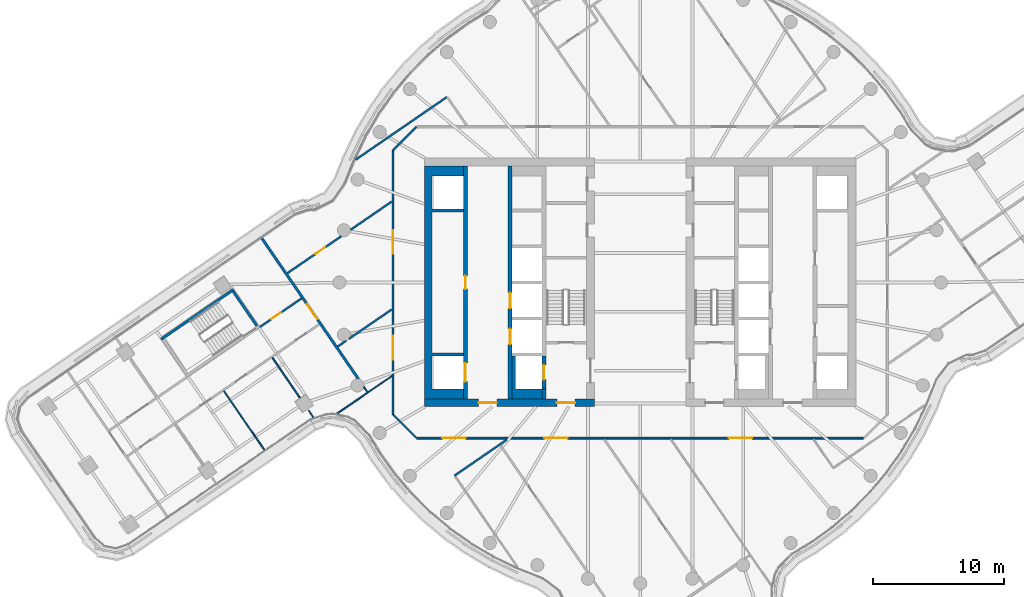
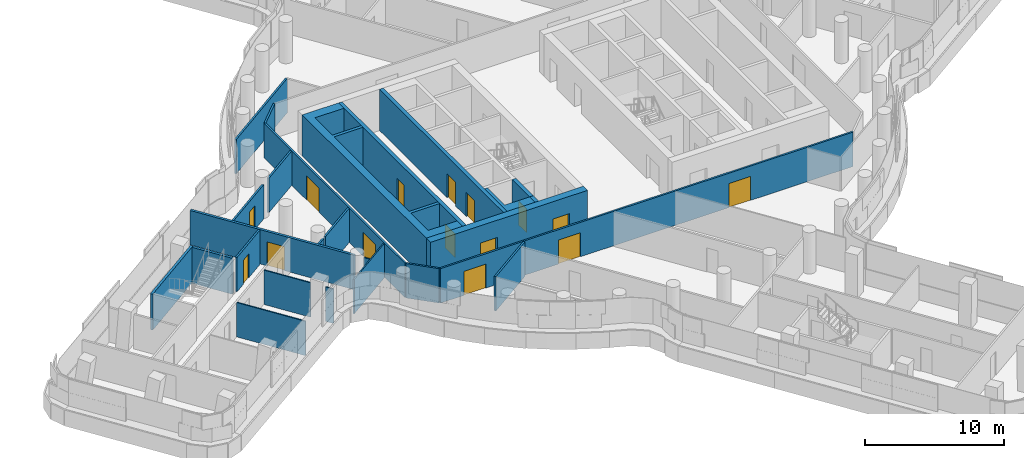
# One storey, part 22 of 33: 26 walls, 15 doors, 15 openings.
"""IFC4 building model written with IfcOpenShell, lengths in metres."""

from ifc_helpers import new_model, si_unit, direction, frame, frame_2d, origin, place, context, subcontext, project, spatial, polyline, rectangle, outline, extrude, material, layer, layer_set, type_object, element, fill, save


model = new_model("IFC4")

# Units and contexts
model_context = context("Model", 3, precision=1e-05, world=origin(), true_north=direction((0.0, 1.0)))
body_context = subcontext(model_context, "Body", "Model", "MODEL_VIEW")
ifc_project = project(units=[si_unit("LENGTHUNIT", "METRE"), si_unit("AREAUNIT", "SQUARE_METRE"), si_unit("VOLUMEUNIT", "CUBIC_METRE"), si_unit("PLANEANGLEUNIT", "RADIAN"), si_unit("MASSUNIT", "GRAM", prefix="KILO")], contexts=[model_context])

# Site, building, storey
site_placement = place(None, origin())
site = spatial("IfcSite", under=ifc_project, at=site_placement, CompositionType="ELEMENT")
building_placement = place(site_placement, origin())
building = spatial("IfcBuilding", under=site, at=building_placement, Name="Tamarind Cross Interchange Tower", CompositionType="ELEMENT")
storey_placement = place(building_placement, frame((0.0, 0.0, 159.25)))
storey = spatial("IfcBuildingStorey", under=building, at=storey_placement, Name="L39", CompositionType="ELEMENT", Elevation=159.25)

# Wall, openings, doors
ifc_material_1 = material(Name="Concrete C60", Category="concrete")
ifc_layer_1 = layer(ifc_material_1, 0.60009765625)
ifc_layer_set_1 = layer_set([ifc_layer_1], Name="Concrete C60")
wall_type_1 = type_object("IfcWallType", Name="Core wall 600 mm Concrete C60", PredefinedType="SHEAR", material=ifc_layer_set_1)
wall_1_placement = place(storey_placement, frame((-16.5, -9.199951171875, 0.0), z_axis=(0.0, 0.0, 1.0), x_axis=(1.0, 0.0, 0.0)))
wall_1 = element("IfcWall", 1, at=wall_1_placement, inside=storey, type_object=wall_type_1, Name="Core wall CWL-L39-W-S", PredefinedType="SHEAR", context=body_context, shape_type="SweptSolid", body=[
    extrude(rectangle(XDim=13.0, YDim=0.60009765625, at=frame_2d((6.5, 0.0))), origin(), (0.0, 0.0, 1.0), 3.610107421875),
])
opening_1_placement = place(wall_1_placement, frame((4.14990234375, 0.0, 0.0)))
opening_1 = element("IfcOpeningElement", 2, at=opening_1_placement, cuts=wall_1, Name="Opening DCW1", PredefinedType="OPENING", context=body_context, shape_type="SweptSolid", body=[
    extrude(rectangle(XDim=1.39990234375, YDim=2.10009765625, at=frame_2d((0.699951171875, 1.050048828125))), frame((0.0, 0.31005859375, 0.0), z_axis=(0.0, -1.0, 0.0), x_axis=(1.0, 0.0, 0.0)), (0.0, 0.0, 1.0), 0.6201171875),
])
opening_2_placement = place(wall_1_placement, frame((10.125, 0.0, 0.0)))
opening_2 = element("IfcOpeningElement", 3, at=opening_2_placement, cuts=wall_1, Name="Opening DCWF", PredefinedType="OPENING", context=body_context, shape_type="SweptSolid", body=[
    extrude(rectangle(XDim=1.39990234375, YDim=2.10009765625, at=frame_2d((0.699951171875, 1.050048828125))), frame((0.0, 0.31005859375, 0.0), z_axis=(0.0, -1.0, 0.0), x_axis=(1.0, 0.0, 0.0)), (0.0, 0.0, 1.0), 0.6201171875),
])
ifc_material_2 = material(Name="Steel, fire-resisting", Category="steel")
door_type_1 = type_object("IfcDoorType", Name="Core fire door 1400 x 2100 FD90", OperationType="SINGLE_SWING_LEFT", PredefinedType="DOOR", material=ifc_material_2)
door_1_placement = place(opening_1_placement, origin())
door_1 = element("IfcDoor", 4, at=door_1_placement, inside=storey, type_object=door_type_1, Name="L39 lift lobby door", OperationType="SINGLE_SWING_LEFT", OverallHeight=2.10009765625, OverallWidth=1.39990234375, PredefinedType="DOOR", context=body_context, shape_type="SweptSolid", body=[
    extrude(rectangle(XDim=1.39990234375, YDim=2.10009765625, at=frame_2d((0.699951171875, 1.050048828125))), frame((0.0, 0.02490234375, 0.0), z_axis=(0.0, -1.0, 0.0), x_axis=(1.0, 0.0, 0.0)), (0.0, 0.0, 1.0), 0.050048828125),
])
fill(opening_1, door_1)
door_2_placement = place(opening_2_placement, origin())
door_2 = element("IfcDoor", 5, at=door_2_placement, inside=storey, type_object=door_type_1, Name="L39 firefighting lobby end door", OperationType="SINGLE_SWING_LEFT", OverallHeight=2.10009765625, OverallWidth=1.39990234375, PredefinedType="DOOR", context=body_context, shape_type="SweptSolid", body=[
    extrude(rectangle(XDim=1.39990234375, YDim=2.10009765625, at=frame_2d((0.699951171875, 1.050048828125))), frame((0.0, 0.02490234375, 0.0), z_axis=(0.0, -1.0, 0.0), x_axis=(1.0, 0.0, 0.0)), (0.0, 0.0, 1.0), 0.050048828125),
])
fill(opening_2, door_2)

# Walls
wall_2_placement = place(storey_placement, origin())
element("IfcWall", 6, at=wall_2_placement, inside=storey, type_object=wall_type_1, Name="Core wall CWL-L39-W-A", PredefinedType="SHEAR", context=body_context, shape_type="SweptSolid", body=[
    extrude(outline(polyline([(-13.5, -8.125), (-15.89990234375, -8.125), (-15.89990234375, -5.625), (-13.5, -5.625), (-13.5, -5.375), (-15.89990234375, -5.375), (-15.89990234375, 5.375), (-13.5, 5.375), (-13.5, 5.625), (-15.89990234375, 5.625), (-15.89990234375, 8.125), (-13.5, 8.125), (-13.5, 8.89990234375), (-15.89990234375, 8.89990234375), (-16.5, 8.89990234375), (-16.5, -8.89990234375), (-15.89990234375, -8.89990234375), (-13.5, -8.89990234375), (-13.5, -8.125)])), origin(), (0.0, 0.0, 1.0), 3.610107421875),
])
ifc_layer_2 = layer(ifc_material_1, 0.300048828125)
ifc_layer_set_2 = layer_set([ifc_layer_2], Name="Concrete C60")
wall_type_2 = type_object("IfcWallType", Name="Core web wall 300 mm Concrete C60", PredefinedType="SHEAR", material=ifc_layer_set_2)
wall_3_placement = place(storey_placement, origin())
element("IfcWall", 7, at=wall_3_placement, inside=storey, type_object=wall_type_2, Name="Core wall CWL-L39-W-BS", PredefinedType="SHEAR", context=body_context, shape_type="SweptSolid", body=[
    extrude(outline(polyline([(-7.5, -8.125), (-9.550048828125, -8.125), (-9.550048828125, -5.625), (-9.800048828125, -5.625), (-9.800048828125, -8.125), (-9.800048828125, -8.89990234375), (-7.5, -8.89990234375), (-7.5, -8.125)])), origin(), (0.0, 0.0, 1.0), 3.610107421875),
])
wall_4_placement = place(storey_placement, frame((-7.35009765625, -8.89990234375, 0.0), z_axis=(0.0, 0.0, 1.0), x_axis=(0.0, 1.0, 0.0)))
element("IfcWall", 8, at=wall_4_placement, inside=storey, type_object=wall_type_2, Name="Core wall CWL-L39-W-BW", PredefinedType="SHEAR", context=body_context, shape_type="SweptSolid", body=[
    extrude(rectangle(XDim=0.77490234375, YDim=0.300048828125, at=frame_2d((0.387451171875, 0.0))), origin(), (0.0, 0.0, 1.0), 3.610107421875),
])

# Wall, openings, doors
wall_5_placement = place(storey_placement, frame((-13.35009765625, -8.89990234375, 0.0), z_axis=(0.0, 0.0, 1.0), x_axis=(0.0, 1.0, 0.0)))
wall_5 = element("IfcWall", 9, at=wall_5_placement, inside=storey, type_object=wall_type_2, Name="Core wall CWL-L39-W-LA", PredefinedType="SHEAR", context=body_context, shape_type="SweptSolid", body=[
    extrude(rectangle(XDim=17.7998046875, YDim=0.300048828125, at=frame_2d((8.89990234375, 0.0))), origin(), (0.0, 0.0, 1.0), 3.610107421875),
])
opening_3_placement = place(wall_5_placement, frame((1.324951171875, 0.0, 0.0)))
opening_3 = element("IfcOpeningElement", 10, at=opening_3_placement, cuts=wall_5, Name="Opening LD1L39", PredefinedType="OPENING", context=body_context, shape_type="SweptSolid", body=[
    extrude(rectangle(XDim=1.39990234375, YDim=2.10009765625, at=frame_2d((0.699951171875, 1.050048828125))), frame((0.0, 0.159912109375, 0.0), z_axis=(0.0, -1.0, 0.0), x_axis=(1.0, 0.0, 0.0)), (0.0, 0.0, 1.0), 0.320068359375),
])
opening_4_placement = place(wall_5_placement, frame((8.39990234375, 0.0, 0.0)))
opening_4 = element("IfcOpeningElement", 11, at=opening_4_placement, cuts=wall_5, Name="Opening DCW9", PredefinedType="OPENING", context=body_context, shape_type="SweptSolid", body=[
    extrude(rectangle(XDim=1.0, YDim=2.10009765625, at=frame_2d((0.5, 1.050048828125))), frame((0.0, 0.159912109375, 0.0), z_axis=(0.0, -1.0, 0.0), x_axis=(1.0, 0.0, 0.0)), (0.0, 0.0, 1.0), 0.320068359375),
])
door_type_2 = type_object("IfcDoorType", Name="Core fire door 1000 x 2100 FD90", OperationType="SINGLE_SWING_LEFT", PredefinedType="DOOR", material=ifc_material_2)
door_3_placement = place(opening_4_placement, origin())
door_3 = element("IfcDoor", 12, at=door_3_placement, inside=storey, type_object=door_type_2, Name="L39 Electrical room door", OperationType="SINGLE_SWING_LEFT", OverallHeight=2.10009765625, OverallWidth=1.0, PredefinedType="DOOR", context=body_context, shape_type="SweptSolid", body=[
    extrude(rectangle(XDim=1.0, YDim=2.10009765625, at=frame_2d((0.5, 1.050048828125))), frame((0.0, 0.02490234375, 0.0), z_axis=(0.0, -1.0, 0.0), x_axis=(1.0, 0.0, 0.0)), (0.0, 0.0, 1.0), 0.050048828125),
])
fill(opening_4, door_3)
ifc_material_3 = material(Name="Stainless steel panel", Category="steel")
door_type_3 = type_object("IfcDoorType", Name="Lift landing door 1400 x 2100 E 120", OperationType="SLIDING_TO_LEFT", PredefinedType="DOOR", material=ifc_material_3)
door_4_placement = place(opening_3_placement, origin())
door_4 = element("IfcDoor", 13, at=door_4_placement, inside=storey, type_object=door_type_3, Name="L39 landing door LF1", OperationType="SLIDING_TO_LEFT", OverallHeight=2.10009765625, OverallWidth=1.39990234375, PredefinedType="DOOR", context=body_context, shape_type="SweptSolid", body=[
    extrude(rectangle(XDim=1.39990234375, YDim=2.10009765625, at=frame_2d((0.699951171875, 1.050048828125))), frame((0.0, 0.02490234375, 0.0), z_axis=(0.0, -1.0, 0.0), x_axis=(1.0, 0.0, 0.0)), (0.0, 0.0, 1.0), 0.050048828125),
])
fill(opening_3, door_4)

wall_6_placement = place(storey_placement, frame((-9.949951171875, -8.89990234375, 0.0), z_axis=(0.0, 0.0, 1.0), x_axis=(0.0, 1.0, 0.0)))
wall_6 = element("IfcWall", 14, at=wall_6_placement, inside=storey, type_object=wall_type_2, Name="Core wall CWL-L39-W-LB", PredefinedType="SHEAR", context=body_context, shape_type="SweptSolid", body=[
    extrude(rectangle(XDim=17.7998046875, YDim=0.300048828125, at=frame_2d((8.89990234375, 0.0))), origin(), (0.0, 0.0, 1.0), 3.610107421875),
])
opening_5_placement = place(wall_6_placement, frame((4.175048828125, 0.0, 0.0)))
opening_5 = element("IfcOpeningElement", 15, at=opening_5_placement, cuts=wall_6, Name="Opening LD8L39", PredefinedType="OPENING", context=body_context, shape_type="SweptSolid", body=[
    extrude(rectangle(XDim=1.199951171875, YDim=2.10009765625, at=frame_2d((0.60009765625, 1.050048828125))), frame((0.0, 0.159912109375, 0.0), z_axis=(0.0, -1.0, 0.0), x_axis=(1.0, 0.0, 0.0)), (0.0, 0.0, 1.0), 0.320068359375),
])
opening_6_placement = place(wall_6_placement, frame((6.925048828125, 0.0, 0.0)))
opening_6 = element("IfcOpeningElement", 16, at=opening_6_placement, cuts=wall_6, Name="Opening LD9L39", PredefinedType="OPENING", context=body_context, shape_type="SweptSolid", body=[
    extrude(rectangle(XDim=1.199951171875, YDim=2.10009765625, at=frame_2d((0.60009765625, 1.050048828125))), frame((0.0, 0.159912109375, 0.0), z_axis=(0.0, -1.0, 0.0), x_axis=(1.0, 0.0, 0.0)), (0.0, 0.0, 1.0), 0.320068359375),
])
door_type_4 = type_object("IfcDoorType", Name="Lift landing door 1200 x 2100 E 120", OperationType="SLIDING_TO_LEFT", PredefinedType="DOOR", material=ifc_material_3)
door_5_placement = place(opening_5_placement, origin())
door_5 = element("IfcDoor", 17, at=door_5_placement, inside=storey, type_object=door_type_4, Name="L39 landing door LF8", OperationType="SLIDING_TO_LEFT", OverallHeight=2.10009765625, OverallWidth=1.199951171875, PredefinedType="DOOR", context=body_context, shape_type="SweptSolid", body=[
    extrude(rectangle(XDim=1.199951171875, YDim=2.10009765625, at=frame_2d((0.60009765625, 1.050048828125))), frame((0.0, 0.02490234375, 0.0), z_axis=(0.0, -1.0, 0.0), x_axis=(1.0, 0.0, 0.0)), (0.0, 0.0, 1.0), 0.050048828125),
])
fill(opening_5, door_5)
door_6_placement = place(opening_6_placement, origin())
door_6 = element("IfcDoor", 18, at=door_6_placement, inside=storey, type_object=door_type_4, Name="L39 landing door LF9", OperationType="SLIDING_TO_LEFT", OverallHeight=2.10009765625, OverallWidth=1.199951171875, PredefinedType="DOOR", context=body_context, shape_type="SweptSolid", body=[
    extrude(rectangle(XDim=1.199951171875, YDim=2.10009765625, at=frame_2d((0.60009765625, 1.050048828125))), frame((0.0, 0.02490234375, 0.0), z_axis=(0.0, -1.0, 0.0), x_axis=(1.0, 0.0, 0.0)), (0.0, 0.0, 1.0), 0.050048828125),
])
fill(opening_6, door_6)

# Wall, opening, door
wall_7_placement = place(storey_placement, frame((-7.35009765625, -8.125, 0.0), z_axis=(0.0, 0.0, 1.0), x_axis=(0.0, 1.0, 0.0)))
wall_7 = element("IfcWall", 19, at=wall_7_placement, inside=storey, type_object=wall_type_2, Name="Core wall CWL-L39-W-FF", PredefinedType="SHEAR", context=body_context, shape_type="SweptSolid", body=[
    extrude(rectangle(XDim=2.5, YDim=0.300048828125, at=frame_2d((1.25, 0.0))), origin(), (0.0, 0.0, 1.0), 3.610107421875),
])
opening_7_placement = place(wall_7_placement, frame((0.699951171875, 0.0, 0.0)))
opening_7 = element("IfcOpeningElement", 20, at=opening_7_placement, cuts=wall_7, Name="Opening LD7L39", PredefinedType="OPENING", context=body_context, shape_type="SweptSolid", body=[
    extrude(rectangle(XDim=1.10009765625, YDim=2.10009765625, at=frame_2d((0.550048828125, 1.050048828125))), frame((0.0, 0.159912109375, 0.0), z_axis=(0.0, -1.0, 0.0), x_axis=(1.0, 0.0, 0.0)), (0.0, 0.0, 1.0), 0.320068359375),
])
door_type_5 = type_object("IfcDoorType", Name="Lift landing door 1100 x 2100 E 120", OperationType="SLIDING_TO_LEFT", PredefinedType="DOOR", material=ifc_material_3)
door_7_placement = place(opening_7_placement, origin())
door_7 = element("IfcDoor", 21, at=door_7_placement, inside=storey, type_object=door_type_5, Name="L39 landing door LF7", OperationType="SLIDING_TO_LEFT", OverallHeight=2.10009765625, OverallWidth=1.10009765625, PredefinedType="DOOR", context=body_context, shape_type="SweptSolid", body=[
    extrude(rectangle(XDim=1.10009765625, YDim=2.10009765625, at=frame_2d((0.550048828125, 1.050048828125))), frame((0.0, 0.02490234375, 0.0), z_axis=(0.0, -1.0, 0.0), x_axis=(1.0, 0.0, 0.0)), (0.0, 0.0, 1.0), 0.050048828125),
])
fill(opening_7, door_7)

# Walls
ifc_material_4 = material(Name="Gypsum board partition on steel studs", Category="steel")
ifc_layer_3 = layer(ifc_material_4, 0.10009765625)
ifc_layer_set_3 = layer_set([ifc_layer_3], Name="Gypsum board partition on steel studs")
wall_type_3 = type_object("IfcWallType", Name="Partition 100 mm EI 90", PredefinedType="PARTITIONING", material=ifc_layer_set_3)
wall_8_placement = place(storey_placement, frame((-31.82666015625, -8.30078125, 0.0), z_axis=(0.0, 0.0, 1.0), x_axis=(0.566026508369, -0.824387040063, 0.0)))
element("IfcWall", 22, at=wall_8_placement, inside=storey, type_object=wall_type_3, Name="Partition L39-006", PredefinedType="PARTITIONING", context=body_context, shape_type="SweptSolid", body=[
    extrude(rectangle(XDim=5.44677734375, YDim=0.10009765625, at=frame_2d((2.723388671875, 0.0))), origin(), (0.0, 0.0, 1.0), 3.010009765625),
])
wall_9_placement = place(storey_placement, frame((-21.132568359375, -7.977294921875, 0.0), z_axis=(0.0, 0.0, 1.0), x_axis=(0.565734664981, -0.824587344579, 0.0)))
element("IfcWall", 23, at=wall_9_placement, inside=storey, type_object=wall_type_3, Name="Partition L39-008", PredefinedType="PARTITIONING", context=body_context, shape_type="SweptSolid", body=[
    extrude(rectangle(XDim=0.48291015625, YDim=0.10009765625, at=frame_2d((0.241455078125, 0.0))), origin(), (0.0, 0.0, 1.0), 3.010009765625),
])
wall_10_placement = place(storey_placement, frame((-28.11767578125, -5.75390625, 0.0), z_axis=(0.0, 0.0, 1.0), x_axis=(0.566112098856, -0.824328266851, 0.0)))
element("IfcWall", 24, at=wall_10_placement, inside=storey, type_object=wall_type_3, Name="Partition L39-009", PredefinedType="PARTITIONING", context=body_context, shape_type="SweptSolid", body=[
    extrude(rectangle(XDim=3.705322265625, YDim=0.10009765625, at=frame_2d((1.8525390625, 0.0))), origin(), (0.0, 0.0, 1.0), 3.010009765625),
])
wall_11_placement = place(storey_placement, frame((-25.342529296875, -9.794921875, 0.0), z_axis=(0.0, 0.0, 1.0), x_axis=(0.566116780614, -0.824325051607, 0.0)))
element("IfcWall", 25, at=wall_11_placement, inside=storey, type_object=wall_type_3, Name="Partition L39-010", PredefinedType="PARTITIONING", context=body_context, shape_type="SweptSolid", body=[
    extrude(rectangle(XDim=0.628662109375, YDim=0.10009765625, at=frame_2d((0.314453125, 0.0))), origin(), (0.0, 0.0, 1.0), 3.010009765625),
])
wall_12_placement = place(storey_placement, frame((-23.15380859375, -10.01220703125, 0.0), z_axis=(0.0, 0.0, 1.0), x_axis=(0.824333501628, 0.566104476307, 0.0)))
element("IfcWall", 26, at=wall_12_placement, inside=storey, type_object=wall_type_3, Name="Partition L39-048", PredefinedType="PARTITIONING", context=body_context, shape_type="SweptSolid", body=[
    extrude(rectangle(XDim=5.05517578125, YDim=0.10009765625, at=frame_2d((2.527587890625, 0.0))), origin(), (0.0, 0.0, 1.0), 3.010009765625),
])
ifc_layer_4 = layer(ifc_material_4, 0.14990234375)
ifc_layer_set_4 = layer_set([ifc_layer_4], Name="Gypsum board partition on steel studs")
wall_type_4 = type_object("IfcWallType", Name="Partition 150 mm EI 120", PredefinedType="PARTITIONING", material=ifc_layer_set_4)
wall_13_placement = place(storey_placement, frame((-18.87158203125, -10.12841796875, 0.0), z_axis=(0.0, 0.0, 1.0), x_axis=(0.707106781187, -0.707106781187, 0.0)))
element("IfcWall", 27, at=wall_13_placement, inside=storey, type_object=wall_type_4, Name="Partition L39-037", PredefinedType="PARTITIONING", context=body_context, shape_type="SweptSolid", body=[
    extrude(rectangle(XDim=2.465087890625, YDim=0.14990234375, at=frame_2d((1.232421875, 0.0))), origin(), (0.0, 0.0, 1.0), 3.010009765625),
])

# Wall, openings, doors
wall_14_placement = place(storey_placement, frame((-17.10009765625, -11.89990234375, 0.0), z_axis=(0.0, 0.0, 1.0), x_axis=(1.0, 0.0, 0.0)))
wall_14 = element("IfcWall", 28, at=wall_14_placement, inside=storey, type_object=wall_type_4, Name="Partition L39-039", PredefinedType="PARTITIONING", context=body_context, shape_type="SweptSolid", body=[
    extrude(rectangle(XDim=34.1650390625, YDim=0.14990234375, at=frame_2d((17.08251953125, 0.0))), origin(), (0.0, 0.0, 1.0), 3.010009765625),
])
opening_8_placement = place(wall_14_placement, frame((9.777099609375, 0.0, 0.0)))
opening_8 = element("IfcOpeningElement", 29, at=opening_8_placement, cuts=wall_14, Name="Opening D19", PredefinedType="OPENING", context=body_context, shape_type="SweptSolid", body=[
    extrude(rectangle(XDim=1.800048828125, YDim=2.10009765625, at=frame_2d((0.89990234375, 1.050048828125))), frame((0.0, 0.0849609375, 0.0), z_axis=(0.0, -1.0, 0.0), x_axis=(1.0, 0.0, 0.0)), (0.0, 0.0, 1.0), 0.169921875),
])
opening_9_placement = place(wall_14_placement, frame((1.949951171875, 0.0, 0.0)))
opening_9 = element("IfcOpeningElement", 30, at=opening_9_placement, cuts=wall_14, Name="Opening D20", PredefinedType="OPENING", context=body_context, shape_type="SweptSolid", body=[
    extrude(rectangle(XDim=1.800048828125, YDim=2.10009765625, at=frame_2d((0.89990234375, 1.050048828125))), frame((0.0, 0.0849609375, 0.0), z_axis=(0.0, -1.0, 0.0), x_axis=(1.0, 0.0, 0.0)), (0.0, 0.0, 1.0), 0.169921875),
])
opening_10_placement = place(wall_14_placement, frame((23.884033203125, 0.0, 0.0)))
opening_10 = element("IfcOpeningElement", 31, at=opening_10_placement, cuts=wall_14, Name="Opening D21", PredefinedType="OPENING", context=body_context, shape_type="SweptSolid", body=[
    extrude(rectangle(XDim=1.800048828125, YDim=2.10009765625, at=frame_2d((0.89990234375, 1.050048828125))), frame((0.0, 0.0849609375, 0.0), z_axis=(0.0, -1.0, 0.0), x_axis=(1.0, 0.0, 0.0)), (0.0, 0.0, 1.0), 0.169921875),
])
ifc_material_5 = material(Name="Fire-resisting door set")
door_type_6 = type_object("IfcDoorType", Name="Interior door 1800 x 2100 FD60S", OperationType="DOUBLE_DOOR_SINGLE_SWING", PredefinedType="DOOR", material=ifc_material_5)
door_8_placement = place(opening_8_placement, origin())
door_8 = element("IfcDoor", 32, at=door_8_placement, inside=storey, type_object=door_type_6, Name="Door D19", OperationType="DOUBLE_DOOR_SINGLE_SWING", OverallHeight=2.10009765625, OverallWidth=1.800048828125, PredefinedType="DOOR", context=body_context, shape_type="SweptSolid", body=[
    extrude(rectangle(XDim=1.800048828125, YDim=2.10009765625, at=frame_2d((0.89990234375, 1.050048828125))), frame((0.0, 0.02490234375, 0.0), z_axis=(0.0, -1.0, 0.0), x_axis=(1.0, 0.0, 0.0)), (0.0, 0.0, 1.0), 0.050048828125),
])
fill(opening_8, door_8)
door_9_placement = place(opening_9_placement, frame((1.800048828125, 0.0, 0.0), z_axis=(0.0, 0.0, 1.0), x_axis=(-1.0, 0.0, 0.0)))
door_9 = element("IfcDoor", 33, at=door_9_placement, inside=storey, type_object=door_type_6, Name="Door D20", OperationType="DOUBLE_DOOR_SINGLE_SWING", OverallHeight=2.10009765625, OverallWidth=1.800048828125, PredefinedType="DOOR", context=body_context, shape_type="SweptSolid", body=[
    extrude(rectangle(XDim=1.800048828125, YDim=2.10009765625, at=frame_2d((0.89990234375, 1.050048828125))), frame((0.0, 0.02490234375, 0.0), z_axis=(0.0, -1.0, 0.0), x_axis=(1.0, 0.0, 0.0)), (0.0, 0.0, 1.0), 0.050048828125),
])
fill(opening_9, door_9)
door_10_placement = place(opening_10_placement, frame((1.800048828125, 0.0, 0.0), z_axis=(0.0, 0.0, 1.0), x_axis=(-1.0, 0.0, 0.0)))
door_10 = element("IfcDoor", 34, at=door_10_placement, inside=storey, type_object=door_type_6, Name="Door D21", OperationType="DOUBLE_DOOR_SINGLE_SWING", OverallHeight=2.10009765625, OverallWidth=1.800048828125, PredefinedType="DOOR", context=body_context, shape_type="SweptSolid", body=[
    extrude(rectangle(XDim=1.800048828125, YDim=2.10009765625, at=frame_2d((0.89990234375, 1.050048828125))), frame((0.0, 0.02490234375, 0.0), z_axis=(0.0, -1.0, 0.0), x_axis=(1.0, 0.0, 0.0)), (0.0, 0.0, 1.0), 0.050048828125),
])
fill(opening_10, door_10)

# Wall, opening, door
wall_15_placement = place(storey_placement, frame((-29.076171875, -3.403564453125, 0.0), z_axis=(0.0, 0.0, 1.0), x_axis=(0.824342624981, 0.566091191098, 0.0)))
wall_15 = element("IfcWall", 35, at=wall_15_placement, inside=storey, type_object=wall_type_4, Name="Partition L39-042", PredefinedType="PARTITIONING", context=body_context, shape_type="SweptSolid", body=[
    extrude(rectangle(XDim=3.85986328125, YDim=0.14990234375, at=frame_2d((1.929931640625, 0.0))), origin(), (0.0, 0.0, 1.0), 3.010009765625),
])
opening_11_placement = place(wall_15_placement, frame((1.050048828125, 0.0, 0.0)))
opening_11 = element("IfcOpeningElement", 36, at=opening_11_placement, cuts=wall_15, Name="Opening D26", PredefinedType="OPENING", context=body_context, shape_type="SweptSolid", body=[
    extrude(rectangle(XDim=0.89990234375, YDim=2.10009765625, at=frame_2d((0.449951171875, 1.050048828125))), frame((0.0, 0.0849609375, 0.0), z_axis=(0.0, -1.0, 0.0), x_axis=(1.0, 0.0, 0.0)), (0.0, 0.0, 1.0), 0.169921875),
])
door_type_7 = type_object("IfcDoorType", Name="Interior door 900 x 2100 FD60S", OperationType="SINGLE_SWING_LEFT", PredefinedType="DOOR", material=ifc_material_5)
door_11_placement = place(opening_11_placement, origin())
door_11 = element("IfcDoor", 37, at=door_11_placement, inside=storey, type_object=door_type_7, Name="Door D26", OperationType="SINGLE_SWING_RIGHT", OverallHeight=2.10009765625, OverallWidth=0.89990234375, PredefinedType="DOOR", context=body_context, shape_type="SweptSolid", body=[
    extrude(rectangle(XDim=0.89990234375, YDim=2.10009765625, at=frame_2d((0.449951171875, 1.050048828125))), frame((0.0, 0.02490234375, 0.0), z_axis=(0.0, -1.0, 0.0), x_axis=(1.0, 0.0, 0.0)), (0.0, 0.0, 1.0), 0.050048828125),
])
fill(opening_11, door_11)

wall_16_placement = place(storey_placement, frame((-26.974609375, 0.70849609375, 0.0), z_axis=(0.0, 0.0, 1.0), x_axis=(0.824360979783, 0.566064461887, 0.0)))
wall_16 = element("IfcWall", 38, at=wall_16_placement, inside=storey, type_object=wall_type_4, Name="Partition L39-044", PredefinedType="PARTITIONING", context=body_context, shape_type="SweptSolid", body=[
    extrude(rectangle(XDim=4.9990234375, YDim=0.14990234375, at=frame_2d((2.49951171875, 0.0))), origin(), (0.0, 0.0, 1.0), 3.010009765625),
])
opening_12_placement = place(wall_16_placement, frame((2.60009765625, 0.0, 0.0)))
opening_12 = element("IfcOpeningElement", 39, at=opening_12_placement, cuts=wall_16, Name="Opening D31", PredefinedType="OPENING", context=body_context, shape_type="SweptSolid", body=[
    extrude(rectangle(XDim=0.89990234375, YDim=2.10009765625, at=frame_2d((0.449951171875, 1.050048828125))), frame((0.0, 0.0849609375, 0.0), z_axis=(0.0, -1.0, 0.0), x_axis=(1.0, 0.0, 0.0)), (0.0, 0.0, 1.0), 0.169921875),
])
door_12_placement = place(opening_12_placement, origin())
door_12 = element("IfcDoor", 40, at=door_12_placement, inside=storey, type_object=door_type_7, Name="Door D31", OperationType="SINGLE_SWING_LEFT", OverallHeight=2.10009765625, OverallWidth=0.89990234375, PredefinedType="DOOR", context=body_context, shape_type="SweptSolid", body=[
    extrude(rectangle(XDim=0.89990234375, YDim=2.10009765625, at=frame_2d((0.449951171875, 1.050048828125))), frame((0.0, 0.02490234375, 0.0), z_axis=(0.0, -1.0, 0.0), x_axis=(1.0, 0.0, 0.0)), (0.0, 0.0, 1.0), 0.050048828125),
])
fill(opening_12, door_12)

# Walls
wall_17_placement = place(storey_placement, frame((-22.148193359375, 4.022705078125, 0.0), z_axis=(0.0, 0.0, 1.0), x_axis=(0.824392319221, 0.566018819484, 0.0)))
element("IfcWall", 41, at=wall_17_placement, inside=storey, type_object=wall_type_4, Name="Partition L39-045", PredefinedType="PARTITIONING", context=body_context, shape_type="SweptSolid", body=[
    extrude(rectangle(XDim=3.8203125, YDim=0.14990234375, at=frame_2d((1.91015625, 0.0))), origin(), (0.0, 0.0, 1.0), 3.010009765625),
])
wall_18_placement = place(storey_placement, frame((-23.12548828125, -4.8974609375, 0.0), z_axis=(0.0, 0.0, 1.0), x_axis=(0.82422658894, 0.566260125812, 0.0)))
element("IfcWall", 42, at=wall_18_placement, inside=storey, type_object=wall_type_4, Name="Partition L39-046", PredefinedType="PARTITIONING", context=body_context, shape_type="SweptSolid", body=[
    extrude(rectangle(XDim=0.771240234375, YDim=0.14990234375, at=frame_2d((0.3857421875, 0.0))), origin(), (0.0, 0.0, 1.0), 3.010009765625),
])
wall_19_placement = place(storey_placement, frame((-22.269775390625, -4.309814453125, 0.0), z_axis=(0.0, 0.0, 1.0), x_axis=(0.824390062348, 0.566022106549, 0.0)))
element("IfcWall", 43, at=wall_19_placement, inside=storey, type_object=wall_type_4, Name="Partition L39-047", PredefinedType="PARTITIONING", context=body_context, shape_type="SweptSolid", body=[
    extrude(rectangle(XDim=3.9677734375, YDim=0.14990234375, at=frame_2d((1.98388671875, 0.0))), origin(), (0.0, 0.0, 1.0), 3.010009765625),
])
wall_20_placement = place(storey_placement, frame((-21.755615234375, 9.387451171875, 0.0), z_axis=(0.0, 0.0, 1.0), x_axis=(0.824352472228, 0.56607685126, 0.0)))
element("IfcWall", 44, at=wall_20_placement, inside=storey, type_object=wall_type_4, Name="Partition L39-049", PredefinedType="PARTITIONING", context=body_context, shape_type="SweptSolid", body=[
    extrude(rectangle(XDim=8.48388671875, YDim=0.14990234375, at=frame_2d((4.241943359375, 0.0))), origin(), (0.0, 0.0, 1.0), 3.010009765625),
])
wall_21_placement = place(storey_placement, frame((-14.18994140625, -14.761962890625, 0.0), z_axis=(0.0, 0.0, 1.0), x_axis=(0.824280034462, 0.566182324686, 0.0)))
element("IfcWall", 45, at=wall_21_placement, inside=storey, type_object=wall_type_4, Name="Partition L39-055", PredefinedType="PARTITIONING", context=body_context, shape_type="SweptSolid", body=[
    extrude(rectangle(XDim=4.844970703125, YDim=0.14990234375, at=frame_2d((2.42236328125, 0.0))), origin(), (0.0, 0.0, 1.0), 3.010009765625),
])
wall_22_placement = place(storey_placement, frame((-18.87158203125, 10.12841796875, 0.0), z_axis=(0.0, 0.0, 1.0), x_axis=(0.707106781187, 0.707106781187, 0.0)))
element("IfcWall", 46, at=wall_22_placement, inside=storey, type_object=wall_type_4, Name="Partition L39-077", PredefinedType="PARTITIONING", context=body_context, shape_type="SweptSolid", body=[
    extrude(rectangle(XDim=2.50537109375, YDim=0.14990234375, at=frame_2d((1.252685546875, 0.0))), origin(), (0.0, 0.0, 1.0), 3.010009765625),
])

# Wall, openings, doors
wall_23_placement = place(storey_placement, frame((-18.89990234375, -10.10009765625, 0.0), z_axis=(0.0, 0.0, 1.0), x_axis=(0.0, 1.0, 0.0)))
wall_23 = element("IfcWall", 47, at=wall_23_placement, inside=storey, type_object=wall_type_4, Name="Partition L39-079", PredefinedType="PARTITIONING", context=body_context, shape_type="SweptSolid", body=[
    extrude(rectangle(XDim=20.2001953125, YDim=0.14990234375, at=frame_2d((10.10009765625, 0.0))), origin(), (0.0, 0.0, 1.0), 3.010009765625),
])
opening_13_placement = place(wall_23_placement, frame((12.303955078125, 0.0, 0.0)))
opening_13 = element("IfcOpeningElement", 48, at=opening_13_placement, cuts=wall_23, Name="Opening D40", PredefinedType="OPENING", context=body_context, shape_type="SweptSolid", body=[
    extrude(rectangle(XDim=1.800048828125, YDim=2.10009765625, at=frame_2d((0.89990234375, 1.050048828125))), frame((0.0, 0.0849609375, 0.0), z_axis=(0.0, -1.0, 0.0), x_axis=(1.0, 0.0, 0.0)), (0.0, 0.0, 1.0), 0.169921875),
])
opening_14_placement = place(wall_23_placement, frame((4.208984375, 0.0, 0.0)))
opening_14 = element("IfcOpeningElement", 49, at=opening_14_placement, cuts=wall_23, Name="Opening D41", PredefinedType="OPENING", context=body_context, shape_type="SweptSolid", body=[
    extrude(rectangle(XDim=1.800048828125, YDim=2.10009765625, at=frame_2d((0.89990234375, 1.050048828125))), frame((0.0, 0.0849609375, 0.0), z_axis=(0.0, -1.0, 0.0), x_axis=(1.0, 0.0, 0.0)), (0.0, 0.0, 1.0), 0.169921875),
])
door_13_placement = place(opening_13_placement, frame((1.800048828125, 0.0, 0.0), z_axis=(0.0, 0.0, 1.0), x_axis=(-1.0, 0.0, 0.0)))
door_13 = element("IfcDoor", 50, at=door_13_placement, inside=storey, type_object=door_type_6, Name="Door D40", OperationType="DOUBLE_DOOR_SINGLE_SWING", OverallHeight=2.10009765625, OverallWidth=1.800048828125, PredefinedType="DOOR", context=body_context, shape_type="SweptSolid", body=[
    extrude(rectangle(XDim=1.800048828125, YDim=2.10009765625, at=frame_2d((0.89990234375, 1.050048828125))), frame((0.0, 0.02490234375, 0.0), z_axis=(0.0, -1.0, 0.0), x_axis=(1.0, 0.0, 0.0)), (0.0, 0.0, 1.0), 0.050048828125),
])
fill(opening_13, door_13)
door_14_placement = place(opening_14_placement, origin())
door_14 = element("IfcDoor", 51, at=door_14_placement, inside=storey, type_object=door_type_6, Name="Door D41", OperationType="DOUBLE_DOOR_SINGLE_SWING", OverallHeight=2.10009765625, OverallWidth=1.800048828125, PredefinedType="DOOR", context=body_context, shape_type="SweptSolid", body=[
    extrude(rectangle(XDim=1.800048828125, YDim=2.10009765625, at=frame_2d((0.89990234375, 1.050048828125))), frame((0.0, 0.02490234375, 0.0), z_axis=(0.0, -1.0, 0.0), x_axis=(1.0, 0.0, 0.0)), (0.0, 0.0, 1.0), 0.050048828125),
])
fill(opening_14, door_14)

# Wall, opening, door
ifc_layer_5 = layer(ifc_material_4, 0.199951171875)
ifc_layer_set_5 = layer_set([ifc_layer_5], Name="Gypsum board partition on steel studs")
wall_type_5 = type_object("IfcWallType", Name="Partition 200 mm EI 180", PredefinedType="PARTITIONING", material=ifc_layer_set_5)
wall_24_placement = place(storey_placement, frame((-28.924560546875, 3.371337890625, 0.0), z_axis=(0.0, 0.0, 1.0), x_axis=(0.566012012603, -0.82439699271, 0.0)))
wall_24 = element("IfcWall", 52, at=wall_24_placement, inside=storey, type_object=wall_type_5, Name="Partition L39-007", PredefinedType="PARTITIONING", context=body_context, shape_type="SweptSolid", body=[
    extrude(rectangle(XDim=13.034423828125, YDim=0.199951171875, at=frame_2d((6.51708984375, 0.0))), origin(), (0.0, 0.0, 1.0), 3.010009765625),
])
opening_15_placement = place(wall_24_placement, frame((6.098876953125, 0.0, 0.0)))
opening_15 = element("IfcOpeningElement", 53, at=opening_15_placement, cuts=wall_24, Name="Opening D02", PredefinedType="OPENING", context=body_context, shape_type="SweptSolid", body=[
    extrude(rectangle(XDim=1.39990234375, YDim=2.10009765625, at=frame_2d((0.699951171875, 1.050048828125))), frame((0.0, 0.10986328125, 0.0), z_axis=(0.0, -1.0, 0.0), x_axis=(1.0, 0.0, 0.0)), (0.0, 0.0, 1.0), 0.219970703125),
])
door_type_8 = type_object("IfcDoorType", Name="Interior door 1400 x 2100 FD120S", OperationType="DOUBLE_DOOR_SINGLE_SWING", PredefinedType="DOOR", material=ifc_material_5)
door_15_placement = place(opening_15_placement, origin())
door_15 = element("IfcDoor", 54, at=door_15_placement, inside=storey, type_object=door_type_8, Name="Door D02", OperationType="DOUBLE_DOOR_SINGLE_SWING", OverallHeight=2.10009765625, OverallWidth=1.39990234375, PredefinedType="DOOR", context=body_context, shape_type="SweptSolid", body=[
    extrude(rectangle(XDim=1.39990234375, YDim=2.10009765625, at=frame_2d((0.699951171875, 1.050048828125))), frame((0.0, 0.02490234375, 0.0), z_axis=(0.0, -1.0, 0.0), x_axis=(1.0, 0.0, 0.0)), (0.0, 0.0, 1.0), 0.050048828125),
])
fill(opening_15, door_15)

# Walls
ifc_material_6 = material(Name="Concrete C40", Category="concrete")
ifc_layer_6 = layer(ifc_material_6, 0.199951171875)
ifc_layer_set_6 = layer_set([ifc_layer_6], Name="Concrete C40")
wall_type_6 = type_object("IfcWallType", Name="Stair shaft wall 200 mm Concrete C40", PredefinedType="SHEAR", material=ifc_layer_set_6)
wall_25_placement = place(storey_placement, frame((-31.090576171875, -0.541015625, -0.139892578125), z_axis=(0.0, 0.0, 1.0), x_axis=(-0.824324635097, -0.566117387095, 0.0)))
element("IfcWall", 55, at=wall_25_placement, inside=storey, type_object=wall_type_6, Name="Core wall CWL-L39-ST5-C", PredefinedType="SHEAR", context=body_context, shape_type="SweptSolid", body=[
    extrude(rectangle(XDim=6.699951171875, YDim=0.199951171875, at=frame_2d((3.35009765625, 0.0))), origin(), (0.0, 0.0, 1.0), 3.14990234375),
])
wall_26_placement = place(storey_placement, frame((-31.1162109375, -0.68017578125, -0.139892578125), z_axis=(0.0, 0.0, 1.0), x_axis=(0.566091628667, -0.824342324494, 0.0)))
element("IfcWall", 56, at=wall_26_placement, inside=storey, type_object=wall_type_6, Name="Core wall CWL-L39-ST5-CE", PredefinedType="SHEAR", context=body_context, shape_type="SweptSolid", body=[
    extrude(rectangle(XDim=3.199951171875, YDim=0.199951171875, at=frame_2d((1.60009765625, 0.0))), origin(), (0.0, 0.0, 1.0), 3.14990234375),
])

save(model, "model.ifc")
